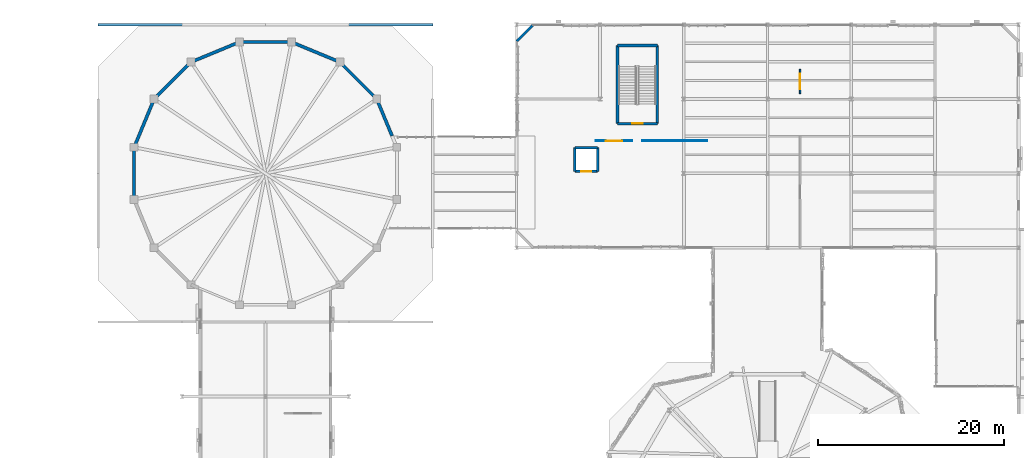
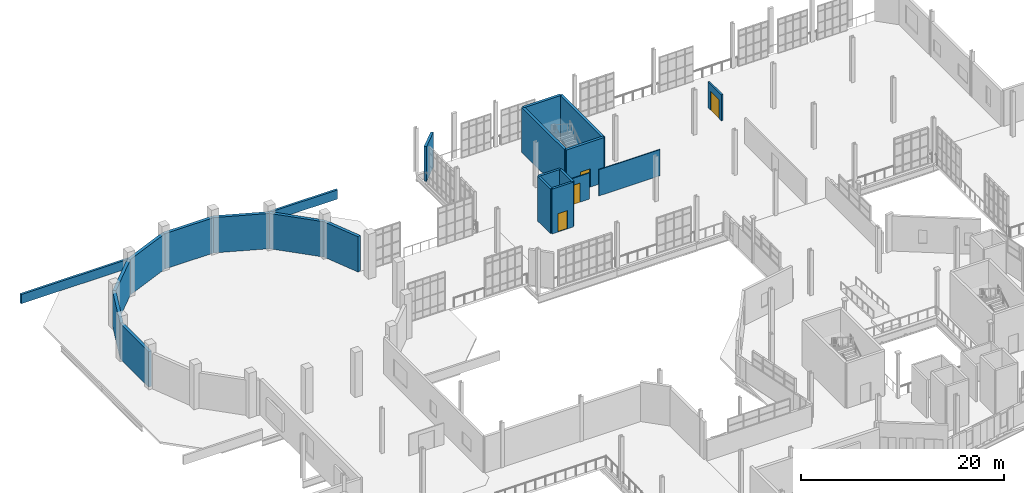
# One storey, part 125 of 142: 21 walls, 4 doors, 4 openings.
"""IFC4 building model written with IfcOpenShell, lengths in metres."""

from ifc_helpers import new_model, si_unit, direction, frame, frame_2d, origin, place, context, subcontext, project, spatial, rectangle, extrude, material, layer, layer_set, type_object, element, fill, save


model = new_model("IFC4")

# Units and contexts
model_context = context("Model", 3, precision=1e-05, world=origin(), true_north=direction((0.0, 1.0)))
body_context = subcontext(model_context, "Body", "Model", "MODEL_VIEW")
ifc_project = project(units=[si_unit("LENGTHUNIT", "METRE"), si_unit("AREAUNIT", "SQUARE_METRE"), si_unit("VOLUMEUNIT", "CUBIC_METRE"), si_unit("PLANEANGLEUNIT", "RADIAN"), si_unit("MASSUNIT", "GRAM", prefix="KILO"), si_unit("THERMODYNAMICTEMPERATUREUNIT", "KELVIN"), si_unit("POWERUNIT", "WATT")], contexts=[model_context])

# Site, building, storey
site_placement = place(None, origin())
site = spatial("IfcSite", under=ifc_project, at=site_placement, CompositionType="ELEMENT")
building_placement = place(site_placement, origin())
building = spatial("IfcBuilding", under=site, at=building_placement, Name="Zelmaris Science Centre", CompositionType="ELEMENT")
storey_placement = place(building_placement, frame((0.0, 0.0, 5.39990234375)))
storey = spatial("IfcBuildingStorey", under=building, at=storey_placement, Name="L01", CompositionType="ELEMENT", Elevation=5.39990234375)

# Wall, opening, door
ifc_material_1 = material(Name="Concrete C40/50", Category="concrete")
ifc_layer_1 = layer(ifc_material_1, 0.300048828125, Name="Concrete C40/50")
ifc_layer_set_1 = layer_set([ifc_layer_1], Name="Concrete C40/50")
wall_type_1 = type_object("IfcWallType", Name="Core Shear Wall CW-S1 300mm", PredefinedType="SOLIDWALL", material=ifc_layer_set_1)
wall_1_placement = place(storey_placement, frame((69.14990234375, 77.35009765625, 0.0), z_axis=(0.0, 0.0, 1.0), x_axis=(-1.0, 0.0, 0.0)))
wall_1 = element("IfcWall", 1, at=wall_1_placement, inside=storey, type_object=wall_type_1, Name="L01 ST-3 core shear wall near", PredefinedType="SOLIDWALL", context=body_context, shape_type="SweptSolid", body=[
    extrude(rectangle(XDim=4.2998046875, YDim=0.300048828125, at=frame_2d((2.14990234375, 0.0))), origin(), (0.0, 0.0, 1.0), 5.400146484375),
])
opening_1_placement = place(wall_1_placement, frame((1.574951171875, 0.0, 0.0)))
opening_1 = element("IfcOpeningElement", 2, at=opening_1_placement, cuts=wall_1, Name="Opening D-FD90", PredefinedType="OPENING", context=body_context, shape_type="SweptSolid", body=[
    extrude(rectangle(XDim=1.14990234375, YDim=2.199951171875, at=frame_2d((0.574951171875, 1.10009765625))), frame((0.0, 0.159912109375, 0.0), z_axis=(0.0, -1.0, 0.0), x_axis=(1.0, 0.0, 0.0)), (0.0, 0.0, 1.0), 0.320068359375),
])
ifc_material_2 = material(Name="Steel ASTM A36", Category="steel")
door_type_1 = type_object("IfcDoorType", Name="Interior Door D-FD90 1150x2200", OperationType="NOTDEFINED", PredefinedType="DOOR", material=ifc_material_2)
door_1_placement = place(opening_1_placement, origin())
door_1 = element("IfcDoor", 3, at=door_1_placement, inside=storey, type_object=door_type_1, Name="L01 ST-3 exit stair fire door", OperationType="SINGLE_SWING_LEFT", OverallHeight=2.199951171875, OverallWidth=1.14990234375, PredefinedType="DOOR", context=body_context, shape_type="SweptSolid", body=[
    extrude(rectangle(XDim=1.14990234375, YDim=2.199951171875, at=frame_2d((0.574951171875, 1.10009765625))), frame((0.0, 0.02490234375, 0.0), z_axis=(0.0, -1.0, 0.0), x_axis=(1.0, 0.0, 0.0)), (0.0, 0.0, 1.0), 0.050048828125),
])
fill(opening_1, door_1)

# Walls
wall_2_placement = place(storey_placement, frame((69.14990234375, 77.35009765625, 0.0), z_axis=(0.0, 0.0, 1.0), x_axis=(0.0, 1.0, 0.0)))
element("IfcWall", 4, at=wall_2_placement, inside=storey, type_object=wall_type_1, Name="L01 ST-3 core shear wall east", PredefinedType="SOLIDWALL", context=body_context, shape_type="SweptSolid", body=[
    extrude(rectangle(XDim=8.39990234375, YDim=0.300048828125, at=frame_2d((4.199951171875, 0.0))), origin(), (0.0, 0.0, 1.0), 5.400146484375),
])
wall_3_placement = place(storey_placement, frame((69.14990234375, 85.75, 0.0), z_axis=(0.0, 0.0, 1.0), x_axis=(-1.0, 0.0, 0.0)))
element("IfcWall", 5, at=wall_3_placement, inside=storey, type_object=wall_type_1, Name="L01 ST-3 core shear wall far", PredefinedType="SOLIDWALL", context=body_context, shape_type="SweptSolid", body=[
    extrude(rectangle(XDim=4.2998046875, YDim=0.300048828125, at=frame_2d((2.14990234375, 0.0))), origin(), (0.0, 0.0, 1.0), 5.400146484375),
])
wall_4_placement = place(storey_placement, frame((64.85009765625, 77.35009765625, 0.0), z_axis=(0.0, 0.0, 1.0), x_axis=(0.0, 1.0, 0.0)))
element("IfcWall", 6, at=wall_4_placement, inside=storey, type_object=wall_type_1, Name="L01 ST-3 core shear wall west", PredefinedType="SOLIDWALL", context=body_context, shape_type="SweptSolid", body=[
    extrude(rectangle(XDim=8.39990234375, YDim=0.300048828125, at=frame_2d((4.199951171875, 0.0))), origin(), (0.0, 0.0, 1.0), 5.400146484375),
])

# Wall, opening, door
ifc_layer_2 = layer(ifc_material_1, 0.25, Name="Concrete C40/50")
ifc_layer_set_2 = layer_set([ifc_layer_2], Name="Concrete C40/50")
wall_type_2 = type_object("IfcWallType", Name="Core Shear Wall CW-S2 250mm", PredefinedType="SOLIDWALL", material=ifc_layer_set_2)
wall_5_placement = place(storey_placement, frame((60.27490234375, 72.22509765625, 0.0), z_axis=(0.0, 0.0, 1.0), x_axis=(1.0, 0.0, 0.0)))
wall_5 = element("IfcWall", 7, at=wall_5_placement, inside=storey, type_object=wall_type_2, Name="L01 LP-03 lift shaft wall -y", PredefinedType="SOLIDWALL", context=body_context, shape_type="SweptSolid", body=[
    extrude(rectangle(XDim=2.4501953125, YDim=0.25, at=frame_2d((1.22509765625, 0.0))), origin(), (0.0, 0.0, 1.0), 5.400146484375),
])
opening_2_placement = place(wall_5_placement, frame((0.675048828125, 0.0, 0.0)))
opening_2 = element("IfcOpeningElement", 8, at=opening_2_placement, cuts=wall_5, Name="Opening LD-01", PredefinedType="OPENING", context=body_context, shape_type="SweptSolid", body=[
    extrude(rectangle(XDim=1.10009765625, YDim=2.199951171875, at=frame_2d((0.550048828125, 1.10009765625))), frame((0.0, 0.135009765625, 0.0), z_axis=(0.0, -1.0, 0.0), x_axis=(1.0, 0.0, 0.0)), (0.0, 0.0, 1.0), 0.27001953125),
])
door_type_2 = type_object("IfcDoorType", Name="Interior Door LD-01 1100x2200", OperationType="SLIDING_TO_LEFT", PredefinedType="DOOR", material=ifc_material_2)
door_2_placement = place(opening_2_placement, origin())
door_2 = element("IfcDoor", 9, at=door_2_placement, inside=storey, type_object=door_type_2, Name="Landing door LD-LP-03-L01", OperationType="SLIDING_TO_LEFT", OverallHeight=2.199951171875, OverallWidth=1.10009765625, PredefinedType="DOOR", context=body_context, shape_type="SweptSolid", body=[
    extrude(rectangle(XDim=1.10009765625, YDim=2.199951171875, at=frame_2d((0.550048828125, 1.10009765625))), frame((0.0, 0.02490234375, 0.0), z_axis=(0.0, -1.0, 0.0), x_axis=(1.0, 0.0, 0.0)), (0.0, 0.0, 1.0), 0.050048828125),
])
fill(opening_2, door_2)

# Walls
wall_6_placement = place(storey_placement, frame((62.72509765625, 72.22509765625, 0.0), z_axis=(0.0, 0.0, 1.0), x_axis=(0.0, 1.0, 0.0)))
element("IfcWall", 10, at=wall_6_placement, inside=storey, type_object=wall_type_2, Name="L01 LP-03 lift shaft wall +x", PredefinedType="SOLIDWALL", context=body_context, shape_type="SweptSolid", body=[
    extrude(rectangle(XDim=2.5498046875, YDim=0.25, at=frame_2d((1.27490234375, 0.0))), origin(), (0.0, 0.0, 1.0), 5.400146484375),
])
wall_7_placement = place(storey_placement, frame((62.72509765625, 74.77490234375, 0.0), z_axis=(0.0, 0.0, 1.0), x_axis=(-1.0, 0.0, 0.0)))
element("IfcWall", 11, at=wall_7_placement, inside=storey, type_object=wall_type_2, Name="L01 LP-03 lift shaft wall +y", PredefinedType="SOLIDWALL", context=body_context, shape_type="SweptSolid", body=[
    extrude(rectangle(XDim=2.4501953125, YDim=0.25, at=frame_2d((1.22509765625, 0.0))), origin(), (0.0, 0.0, 1.0), 5.400146484375),
])
wall_8_placement = place(storey_placement, frame((60.27490234375, 74.77490234375, 0.0), z_axis=(0.0, 0.0, 1.0), x_axis=(0.0, -1.0, 0.0)))
element("IfcWall", 12, at=wall_8_placement, inside=storey, type_object=wall_type_2, Name="L01 LP-03 lift shaft wall -x", PredefinedType="SOLIDWALL", context=body_context, shape_type="SweptSolid", body=[
    extrude(rectangle(XDim=2.5498046875, YDim=0.25, at=frame_2d((1.27490234375, 0.0))), origin(), (0.0, 0.0, 1.0), 5.400146484375),
])
ifc_material_3 = material(Name="Yucatan limestone ashlar masonry", Category="masonry")
ifc_layer_3 = layer(ifc_material_3, 0.340087890625, Name="Yucatan limestone ashlar masonry")
ifc_layer_set_3 = layer_set([ifc_layer_3], Name="Yucatan limestone ashlar masonry")
wall_type_3 = type_object("IfcWallType", Name="Exterior Wall EW-02 340mm", PredefinedType="SOLIDWALL", material=ifc_layer_set_3)
wall_9_placement = place(storey_placement, frame((12.876708984375, 69.190673828125, 0.0), z_axis=(0.0, 0.0, 1.0), x_axis=(0.0, 1.0, 0.0)))
element("IfcWall", 13, at=wall_9_placement, inside=storey, type_object=wall_type_3, Name="L01 Exterior wall 35", PredefinedType="SOLIDWALL", context=body_context, shape_type="SweptSolid", body=[
    extrude(rectangle(XDim=5.61865234375, YDim=0.340087890625, at=frame_2d((2.809326171875, 0.0))), origin(), (0.0, 0.0, 1.0), 4.2490234375),
])
wall_10_placement = place(storey_placement, frame((12.876708984375, 74.809326171875, 0.0), z_axis=(0.0, 0.0, 1.0), x_axis=(0.382769990318, 0.923843674283, 0.0)))
element("IfcWall", 14, at=wall_10_placement, inside=storey, type_object=wall_type_3, Name="L01 Exterior wall 36", PredefinedType="SOLIDWALL", context=body_context, shape_type="SweptSolid", body=[
    extrude(rectangle(XDim=5.619873046875, YDim=0.340087890625, at=frame_2d((2.81005859375, 0.0))), origin(), (0.0, 0.0, 1.0), 4.2490234375),
])
wall_11_placement = place(storey_placement, frame((15.02783203125, 80.001220703125, 0.0), z_axis=(0.0, 0.0, 1.0), x_axis=(0.707106781187, 0.707106781187, 0.0)))
element("IfcWall", 15, at=wall_11_placement, inside=storey, type_object=wall_type_3, Name="L01 Exterior wall 37", PredefinedType="SOLIDWALL", context=body_context, shape_type="SweptSolid", body=[
    extrude(rectangle(XDim=5.6171875, YDim=0.340087890625, at=frame_2d((2.80859375, 0.0))), origin(), (0.0, 0.0, 1.0), 4.2490234375),
])
for number, where, z_axis, x_axis, name in (
    (16, (18.999755859375, 83.97314453125, 0.0), (0.0, 0.0, 1.0), (0.923879667137, 0.38268310735, 0.0), "L01 Exterior wall 38"),
    (17, (24.190673828125, 86.123291015625, 0.0), (0.0, 0.0, 1.0), (1.0, 0.0, 0.0), "L01 Exterior wall 39"),
    (18, (29.809326171875, 86.123291015625, 0.0), (0.0, 0.0, 1.0), (0.923879667137, -0.38268310735, 0.0), "L01 Exterior wall 40"),
):
    element("IfcWall", number, at=place(storey_placement, frame(where, z_axis=z_axis, x_axis=x_axis)), inside=storey, type_object=wall_type_3, Name=name, PredefinedType="SOLIDWALL", context=body_context, shape_type="SweptSolid", body=[
        extrude(rectangle(XDim=5.61865234375, YDim=0.340087890625, at=frame_2d((2.809326171875, 0.0))), origin(), (0.0, 0.0, 1.0), 4.2490234375),
    ])
wall_12_placement = place(storey_placement, frame((35.000244140625, 83.97314453125, 0.0), z_axis=(0.0, 0.0, 1.0), x_axis=(0.707106781187, -0.707106781187, 0.0)))
element("IfcWall", 19, at=wall_12_placement, inside=storey, type_object=wall_type_3, Name="L01 Exterior wall 41", PredefinedType="SOLIDWALL", context=body_context, shape_type="SweptSolid", body=[
    extrude(rectangle(XDim=5.618408203125, YDim=0.340087890625, at=frame_2d((2.80908203125, 0.0))), origin(), (0.0, 0.0, 1.0), 4.2490234375),
])
wall_13_placement = place(storey_placement, frame((38.97314453125, 80.000244140625, 0.0), z_axis=(0.0, 0.0, 1.0), x_axis=(0.382686893212, -0.923878098974, 0.0)))
element("IfcWall", 20, at=wall_13_placement, inside=storey, type_object=wall_type_3, Name="L01 Exterior wall 42", PredefinedType="SOLIDWALL", context=body_context, shape_type="SweptSolid", body=[
    extrude(rectangle(XDim=4.28955078125, YDim=0.340087890625, at=frame_2d((2.144775390625, 0.0))), origin(), (0.0, 0.0, 1.0), 4.2490234375),
])
ifc_material_4 = material(Name="Precast concrete C40/50", Category="concrete")
ifc_layer_4 = layer(ifc_material_4, 0.27001953125, Name="Precast concrete C40/50")
ifc_layer_set_4 = layer_set([ifc_layer_4], Name="Precast concrete C40/50")
wall_type_4 = type_object("IfcWallType", Name="Exterior Wall EW-10 270mm", PredefinedType="SOLIDWALL", material=ifc_layer_set_4)
wall_14_placement = place(storey_placement, frame((54.0, 86.199951171875, 0.0), z_axis=(0.0, 0.0, 1.0), x_axis=(0.707106781187, 0.707106781187, 0.0)))
element("IfcWall", 21, at=wall_14_placement, inside=storey, type_object=wall_type_4, Name="L01 Exterior wall 43", PredefinedType="SOLIDWALL", context=body_context, shape_type="SweptSolid", body=[
    extrude(rectangle(XDim=2.545654296875, YDim=0.27001953125, at=frame_2d((1.27294921875, 0.0))), origin(), (0.0, 0.0, 1.0), 4.191162109375),
])

# Wall, opening, door
ifc_material_5 = material(Name="Autoclaved aerated concrete blockwork", Category="masonry")
ifc_layer_5 = layer(ifc_material_5, 0.179931640625, Name="Autoclaved aerated concrete blockwork")
ifc_layer_set_5 = layer_set([ifc_layer_5], Name="Autoclaved aerated concrete blockwork")
wall_type_5 = type_object("IfcWallType", Name="Interior Wall PT-04 180mm", PredefinedType="PARTITIONING", material=ifc_layer_set_5)
wall_15_placement = place(storey_placement, frame((84.5048828125, 80.577392578125, 0.0), z_axis=(0.0, 0.0, 1.0), x_axis=(0.0, 1.0, 0.0)))
wall_15 = element("IfcWall", 22, at=wall_15_placement, inside=storey, type_object=wall_type_5, Name="L01 Curatorial Research Office entrance partition 49", PredefinedType="PARTITIONING", context=body_context, shape_type="SweptSolid", body=[
    extrude(rectangle(XDim=2.60009765625, YDim=0.179931640625, at=frame_2d((1.300048828125, 0.0))), origin(), (0.0, 0.0, 1.0), 3.150146484375),
])
opening_3_placement = place(wall_15_placement, frame((0.449951171875, 0.0, 0.0)))
opening_3 = element("IfcOpeningElement", 23, at=opening_3_placement, cuts=wall_15, Name="Opening D-IN8", PredefinedType="OPENING", context=body_context, shape_type="SweptSolid", body=[
    extrude(rectangle(XDim=1.699951171875, YDim=2.300048828125, at=frame_2d((0.85009765625, 1.14990234375))), frame((0.0, 0.099853515625, 0.0), z_axis=(0.0, -1.0, 0.0), x_axis=(1.0, 0.0, 0.0)), (0.0, 0.0, 1.0), 0.199951171875),
])
ifc_material_6 = material(Name="Solid tropical tzalam hardwood", Category="wood")
door_type_3 = type_object("IfcDoorType", Name="Interior Door D-IN8 1700x2300", OperationType="NOTDEFINED", PredefinedType="DOOR", material=ifc_material_6)
door_3_placement = place(opening_3_placement, origin())
door_3 = element("IfcDoor", 24, at=door_3_placement, inside=storey, type_object=door_type_3, Name="L01 Curatorial Research Office door", OperationType="SINGLE_SWING_LEFT", OverallHeight=2.300048828125, OverallWidth=1.699951171875, PredefinedType="DOOR", context=body_context, shape_type="SweptSolid", body=[
    extrude(rectangle(XDim=1.699951171875, YDim=2.300048828125, at=frame_2d((0.85009765625, 1.14990234375))), frame((0.0, 0.02490234375, 0.0), z_axis=(0.0, -1.0, 0.0), x_axis=(1.0, 0.0, 0.0)), (0.0, 0.0, 1.0), 0.050048828125),
])
fill(opening_3, door_3)

ifc_material_7 = material(Name="Fire-rated gypsum board on steel studs", Category="steel")
ifc_layer_6 = layer(ifc_material_7, 0.10009765625, Name="Fire-rated gypsum board on steel studs")
ifc_layer_set_6 = layer_set([ifc_layer_6], Name="Fire-rated gypsum board on steel studs")
wall_type_6 = type_object("IfcWallType", Name="Interior Wall PT-05 100mm", PredefinedType="PARTITIONING", material=ifc_layer_set_6)
wall_16_placement = place(storey_placement, frame((62.5048828125, 75.5, 0.0), z_axis=(0.0, 0.0, 1.0), x_axis=(1.0, 0.0, 0.0)))
wall_16 = element("IfcWall", 25, at=wall_16_placement, inside=storey, type_object=wall_type_6, Name="L01 Science Reference Library Reading Hall partition 44", PredefinedType="PARTITIONING", context=body_context, shape_type="SweptSolid", body=[
    extrude(rectangle(XDim=3.9677734375, YDim=0.10009765625, at=frame_2d((1.98388671875, 0.0))), origin(), (0.0, 0.0, 1.0), 3.150146484375),
])
opening_4_placement = place(wall_16_placement, frame((1.083984375, 0.0, 0.0)))
opening_4 = element("IfcOpeningElement", 26, at=opening_4_placement, cuts=wall_16, Name="Opening D-IN4", PredefinedType="OPENING", context=body_context, shape_type="SweptSolid", body=[
    extrude(rectangle(XDim=1.800048828125, YDim=2.300048828125, at=frame_2d((0.89990234375, 1.14990234375))), frame((0.0, 0.06005859375, 0.0), z_axis=(0.0, -1.0, 0.0), x_axis=(1.0, 0.0, 0.0)), (0.0, 0.0, 1.0), 0.1201171875),
])
door_type_4 = type_object("IfcDoorType", Name="Interior Door D-IN4 1800x2300", OperationType="NOTDEFINED", PredefinedType="DOOR", material=ifc_material_6)
door_4_placement = place(opening_4_placement, origin())
door_4 = element("IfcDoor", 27, at=door_4_placement, inside=storey, type_object=door_type_4, Name="L01 Science Reference Library Reading Hall door", OperationType="SINGLE_SWING_LEFT", OverallHeight=2.300048828125, OverallWidth=1.800048828125, PredefinedType="DOOR", context=body_context, shape_type="SweptSolid", body=[
    extrude(rectangle(XDim=1.800048828125, YDim=2.300048828125, at=frame_2d((0.89990234375, 1.14990234375))), frame((0.0, 0.02490234375, 0.0), z_axis=(0.0, -1.0, 0.0), x_axis=(1.0, 0.0, 0.0)), (0.0, 0.0, 1.0), 0.050048828125),
])
fill(opening_4, door_4)

# Walls
wall_17_placement = place(storey_placement, frame((67.52734375, 75.5, 0.0), z_axis=(0.0, 0.0, 1.0), x_axis=(1.0, 0.0, 0.0)))
element("IfcWall", 28, at=wall_17_placement, inside=storey, type_object=wall_type_6, Name="L01 Science Reference Library Reading Hall partition 45", PredefinedType="PARTITIONING", context=body_context, shape_type="SweptSolid", body=[
    extrude(rectangle(XDim=6.97265625, YDim=0.10009765625, at=frame_2d((3.486328125, 0.0))), origin(), (0.0, 0.0, 1.0), 3.150146484375),
])
ifc_layer_7 = layer(ifc_material_4, 0.25, Name="Precast concrete C40/50")
ifc_layer_set_7 = layer_set([ifc_layer_7], Name="Precast concrete C40/50")
wall_type_7 = type_object("IfcWallType", Name="Roof Parapet PW-02 250mm", PredefinedType="PARAPET", material=ifc_layer_set_7)
wall_18_placement = place(storey_placement, frame((9.0, 88.0, 0.0), z_axis=(0.0, 0.0, 1.0), x_axis=(1.0, 0.0, 0.0)))
element("IfcWall", 29, at=wall_18_placement, inside=storey, type_object=wall_type_7, Name="L01 Precast roof parapet 3", PredefinedType="PARAPET", context=body_context, shape_type="SweptSolid", body=[
    extrude(rectangle(XDim=36.0, YDim=0.25, at=frame_2d((18.0, 0.0))), origin(), (0.0, 0.0, 1.0), 1.10009765625),
])

save(model, "model.ifc")
